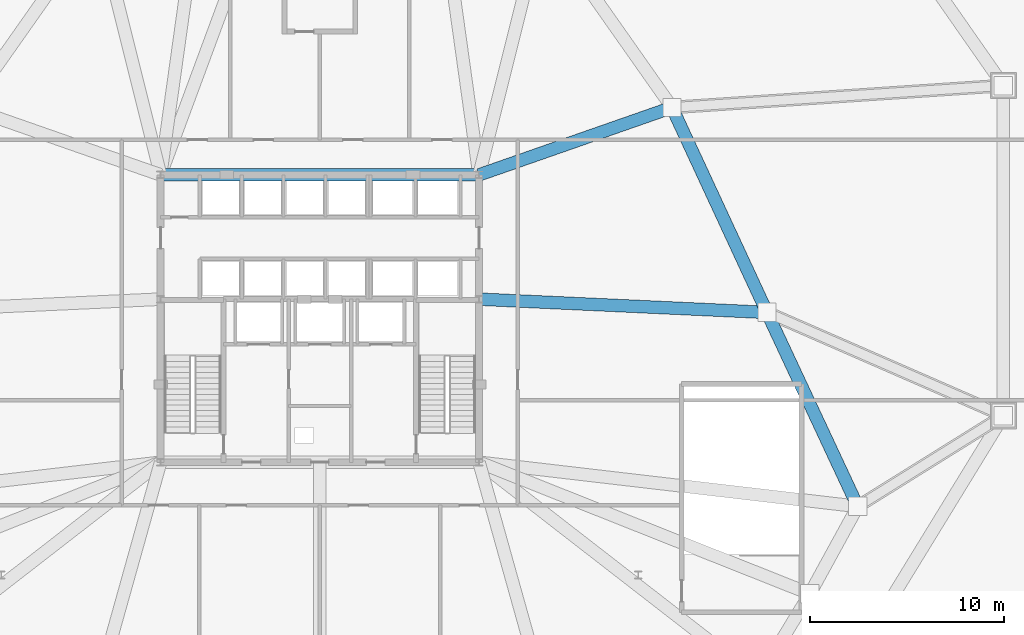
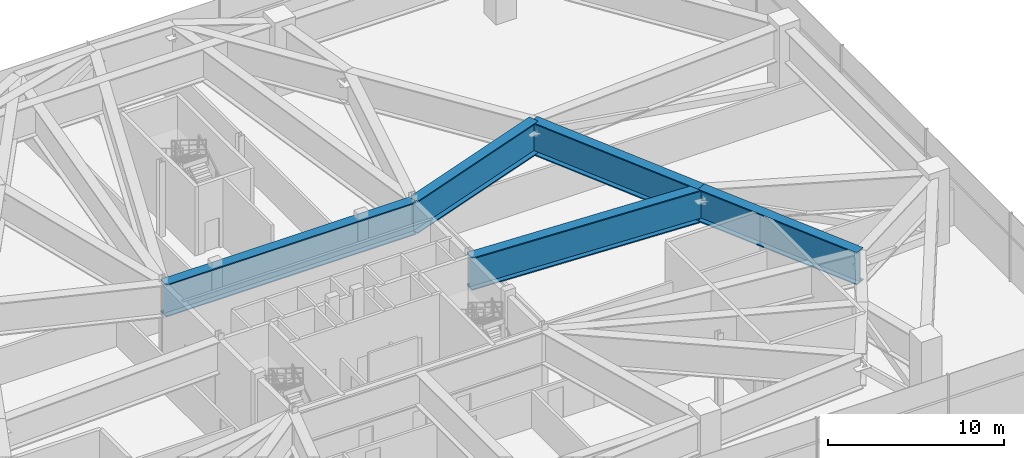
# One storey, part 11 of 29: 5 beams.
"""IFC4 building model written with IfcOpenShell, lengths in metres."""

from ifc_helpers import new_model, si_unit, direction, frame, origin, origin_2d, place, context, subcontext, project, spatial, i_section, extrude, material, material_profile, profile_set, type_object, element, save


model = new_model("IFC4")

# Units and contexts
model_context = context("Model", 3, precision=1e-05, world=origin(), true_north=direction((0.0, 1.0)))
body_context = subcontext(model_context, "Body", "Model", "MODEL_VIEW")
ifc_project = project(units=[si_unit("LENGTHUNIT", "METRE"), si_unit("AREAUNIT", "SQUARE_METRE"), si_unit("VOLUMEUNIT", "CUBIC_METRE"), si_unit("PLANEANGLEUNIT", "RADIAN"), si_unit("MASSUNIT", "GRAM", prefix="KILO")], contexts=[model_context])

# Site, building, storey
site_placement = place(None, origin())
site = spatial("IfcSite", under=ifc_project, at=site_placement, CompositionType="ELEMENT")
building_placement = place(site_placement, origin())
building = spatial("IfcBuilding", under=site, at=building_placement, Name="Varakhsha Concourse Tower", CompositionType="ELEMENT")
storey_placement = place(building_placement, frame((0.0, 0.0, 22.0)))
storey = spatial("IfcBuildingStorey", under=building, at=storey_placement, Name="L05", CompositionType="ELEMENT", Elevation=22.0)

# Beams
ifc_material = material(Name="Structural Steel ASTM A992 Grade 50", Category="steel")
ifc_material_profile = material_profile(ifc_material, i_section(OverallWidth=0.64990234375, OverallDepth=2.25, WebThickness=0.0400390625, FlangeThickness=0.074951171875, at=origin_2d()), Name="PG 2250x650x75x40")
ifc_profile_set = profile_set([ifc_material_profile], Name="Structural Steel ASTM A992 Grade 50")
beam_type = type_object("IfcBeamType", Name="BM-XFER-PG1650", PredefinedType="USERDEFINED", material=ifc_profile_set)
beam_1_placement = place(storey_placement, frame((31.800048828125, 31.199951171875, 3.655029296875), z_axis=(1.0, 0.0, 0.0), x_axis=(0.0, 1.0, 0.0)))
element("IfcBeam", 1, at=beam_1_placement, inside=storey, type_object=beam_type, Name="BM-CORE-L05-CN", ObjectType="GIRDER", PredefinedType="USERDEFINED", context=body_context, shape_type="SweptSolid", body=[
    extrude(i_section(OverallWidth=0.64990234375, OverallDepth=2.25, WebThickness=0.0400390625, FlangeThickness=0.074951171875, at=origin_2d()), origin(), (0.0, 0.0, 1.0), 16.39990234375),
])
beam_2_placement = place(storey_placement, frame((67.697265625, 14.125732421875, 3.655029296875), z_axis=(-0.423468305163, 0.90591091975, 0.0), x_axis=(-0.90591091975, -0.423468305163, 0.0)))
element("IfcBeam", 2, at=beam_2_placement, inside=storey, type_object=beam_type, Name="L05 Tower Base Transfer Ring Girder 15", ObjectType="GIRDER", PredefinedType="USERDEFINED", context=body_context, shape_type="SweptSolid", body=[
    extrude(i_section(OverallWidth=0.64990234375, OverallDepth=2.25, WebThickness=0.0400390625, FlangeThickness=0.074951171875, at=origin_2d()), origin(), (0.0, 0.0, 1.0), 11.0283203125),
])
beam_3_placement = place(storey_placement, frame((63.027099609375, 24.116455078125, 3.655029296875), z_axis=(-0.420598806974, 0.907246737978, 0.0), x_axis=(-0.907246737978, -0.420598806974, 0.0)))
element("IfcBeam", 3, at=beam_3_placement, inside=storey, type_object=beam_type, Name="L05 Tower Base Transfer Ring Girder 16", ObjectType="GIRDER", PredefinedType="USERDEFINED", context=body_context, shape_type="SweptSolid", body=[
    extrude(i_section(OverallWidth=0.64990234375, OverallDepth=2.25, WebThickness=0.0400390625, FlangeThickness=0.074951171875, at=origin_2d()), origin(), (0.0, 0.0, 1.0), 11.63232421875),
])
beam_4_placement = place(storey_placement, frame((48.199951171875, 24.800048828125, 3.655029296875), z_axis=(0.998938892895, -0.046055273992, 0.0), x_axis=(0.046055273992, 0.998938892895, 0.0)))
element("IfcBeam", 4, at=beam_4_placement, inside=storey, type_object=beam_type, Name="L05 Core Radial Transfer Girder 16", ObjectType="GIRDER", PredefinedType="USERDEFINED", context=body_context, shape_type="SweptSolid", body=[
    extrude(i_section(OverallWidth=0.64990234375, OverallDepth=2.25, WebThickness=0.0400390625, FlangeThickness=0.074951171875, at=origin_2d()), origin(), (0.0, 0.0, 1.0), 14.843017578125),
])
beam_5_placement = place(storey_placement, frame((48.199951171875, 31.199951171875, 3.655029296875), z_axis=(0.944069395278, 0.329746837587, 0.0), x_axis=(-0.329746837587, 0.944069395278, 0.0)))
element("IfcBeam", 5, at=beam_5_placement, inside=storey, type_object=beam_type, Name="L05 Core Radial Transfer Girder 17", ObjectType="GIRDER", PredefinedType="USERDEFINED", context=body_context, shape_type="SweptSolid", body=[
    extrude(i_section(OverallWidth=0.64990234375, OverallDepth=2.25, WebThickness=0.0400390625, FlangeThickness=0.074951171875, at=origin_2d()), origin(), (0.0, 0.0, 1.0), 10.523193359375),
])

save(model, "model.ifc")
